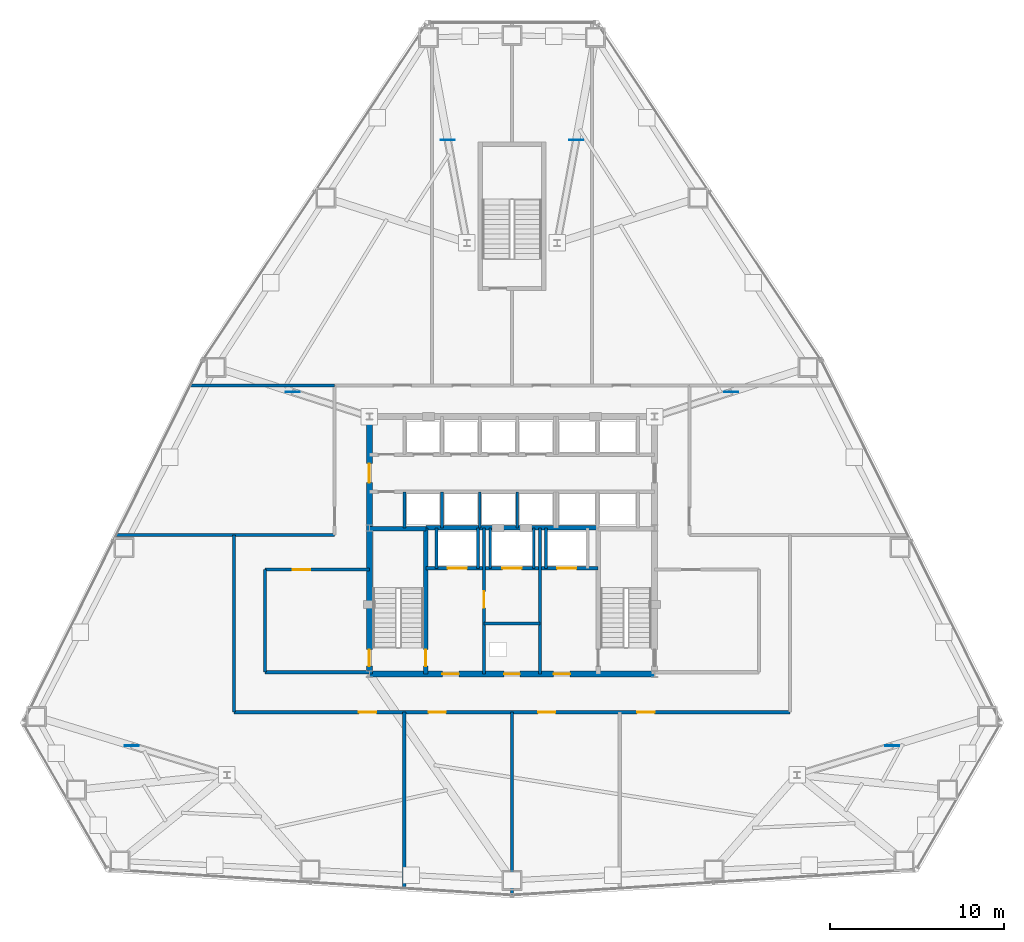
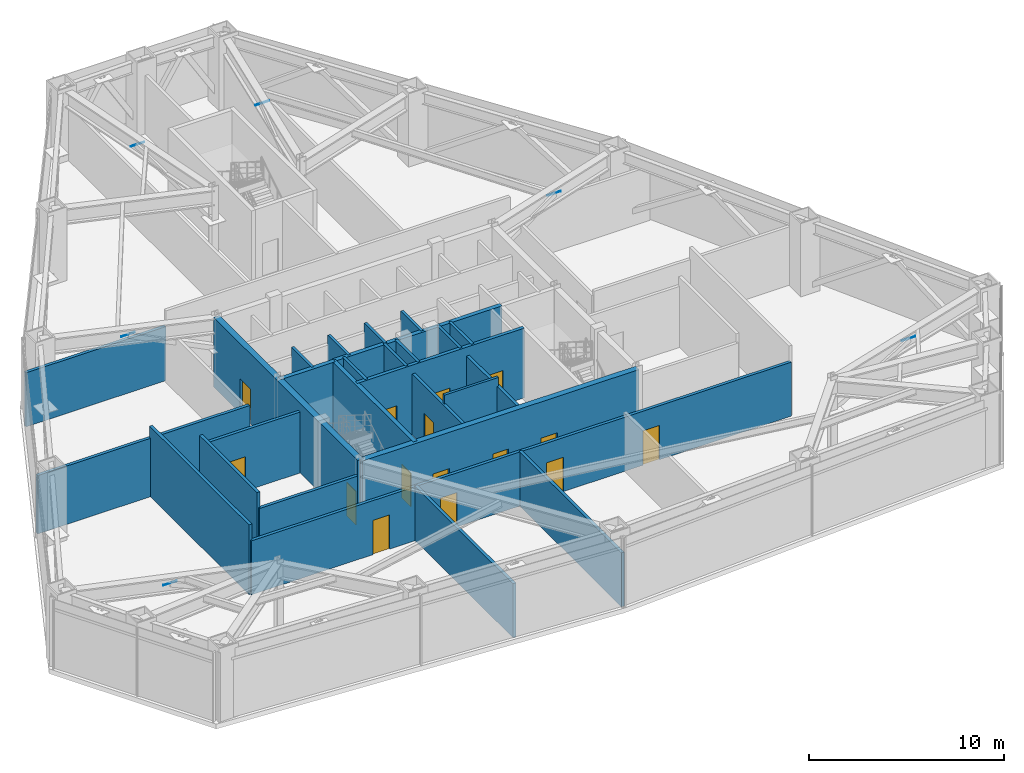
# One storey, part 9 of 12: 27 walls, 15 doors, 6 plates, 15 openings.
"""IFC4 building model written with IfcOpenShell, lengths in metres."""

from ifc_helpers import new_model, si_unit, direction, frame, frame_2d, origin, origin_2d, place, context, subcontext, project, spatial, rectangle, extrude, source, transform, mapped, material, layer, layer_set, type_object, type_shapes, element, fill, save


model = new_model("IFC4")

# Units and contexts
model_context = context("Model", 3, precision=1e-05, world=origin(), true_north=direction((0.0, 1.0)))
body_context = subcontext(model_context, "Body", "Model", "MODEL_VIEW")
ifc_project = project(units=[si_unit("LENGTHUNIT", "METRE"), si_unit("AREAUNIT", "SQUARE_METRE"), si_unit("VOLUMEUNIT", "CUBIC_METRE"), si_unit("PLANEANGLEUNIT", "RADIAN"), si_unit("MASSUNIT", "GRAM", prefix="KILO")], contexts=[model_context])

# Site, building, storey
site_placement = place(None, origin())
site = spatial("IfcSite", under=ifc_project, at=site_placement, CompositionType="ELEMENT")
building_placement = place(site_placement, origin())
building = spatial("IfcBuilding", under=site, at=building_placement, Name="Varakhsha Concourse Tower", CompositionType="ELEMENT")
storey_placement = place(building_placement, frame((0.0, 0.0, 68.800048828125)))
storey = spatial("IfcBuildingStorey", under=building, at=storey_placement, Name="L19", CompositionType="ELEMENT", Elevation=68.800048828125)

# Plates
ifc_material_1 = material(Name="Structural Steel ASTM A572 Grade 50", Category="steel")
ifc_layer_1 = layer(ifc_material_1, 0.031982421875, Name="PL-GUSSET-800")
ifc_layer_set_1 = layer_set([ifc_layer_1], Name="Structural Steel ASTM A572 Grade 50")
plate_type = type_object("IfcPlateType", Name="PL-GUSSET-800", PredefinedType="USERDEFINED", material=ifc_layer_set_1)
shared_shape = source(origin(), body_context, "Body", "SweptSolid", [
    extrude(rectangle(XDim=0.800048828125, YDim=0.031982421875, at=origin_2d()), origin(), (0.0, 0.0, 1.0), 0.031982421875),
])
type_shapes(plate_type, [shared_shape])
for number, where, z_axis, x_axis, name in (
    (1, (43.695556640625, 47.10791015625, 3.90380859375), (0.0, 0.0, 1.0), (1.0, 0.0, 0.0), "Hollow Section End Cap GP-L19-01"),
    (2, (36.304443359375, 47.10791015625, 3.90380859375), (0.0, 0.0, 1.0), (1.0, 0.0, 0.0), "Hollow Section End Cap GP-L19-02"),
    (3, (27.382568359375, 32.61767578125, 3.90380859375), (0.0, 0.0, 1.0), (1.0, 0.0, 0.0), "Hollow Section End Cap GP-L19-03"),
    (4, (18.124755859375, 12.270751953125, 3.90380859375), (0.0, 0.0, 1.0), (1.0, 0.0, 0.0), "Hollow Section End Cap GP-L19-04"),
    (5, (61.875244140625, 12.270751953125, 3.90380859375), (0.0, 0.0, 1.0), (1.0, 0.0, 0.0), "Hollow Section End Cap GP-L19-08"),
    (6, (52.617431640625, 32.61767578125, 3.90380859375), (0.0, 0.0, 1.0), (1.0, 0.0, 0.0), "Hollow Section End Cap GP-L19-09"),
):
    element("IfcPlate", number, at=place(storey_placement, frame(where, z_axis=z_axis, x_axis=x_axis)), inside=storey, type_object=plate_type, Name=name, ObjectType="GUSSET PLATE", PredefinedType="USERDEFINED", context=body_context, shape_type="MappedRepresentation", body=[
        mapped(shared_shape, transform((0.0, 0.0, 0.0), scale=1.0)),
    ])

# Wall, openings, doors
ifc_material_2 = material(Name="Concrete fc 65 MPa", Category="concrete")
ifc_layer_2 = layer(ifc_material_2, 0.35009765625, Name="WL-CORE-350")
ifc_layer_set_2 = layer_set([ifc_layer_2], Name="Concrete fc 65 MPa")
wall_type_1 = type_object("IfcWallType", Name="WL-CORE-350", PredefinedType="SHEAR", material=ifc_layer_set_2)
wall_1_placement = place(storey_placement, frame((31.800048828125, 16.39990234375, 0.0), z_axis=(0.0, 0.0, 1.0), x_axis=(1.0, 0.0, 0.0)))
wall_1 = element("IfcWall", 7, at=wall_1_placement, inside=storey, type_object=wall_type_1, Name="L19 Wall CWALL-S-L19", PredefinedType="SHEAR", context=body_context, shape_type="SweptSolid", body=[
    extrude(rectangle(XDim=16.39990234375, YDim=0.35009765625, at=frame_2d((8.199951171875, 0.0))), origin(), (0.0, 0.0, 1.0), 4.369873046875),
])
opening_1_placement = place(wall_1_placement, frame((7.75, 0.0, 0.0)))
opening_1 = element("IfcOpeningElement", 8, at=opening_1_placement, cuts=wall_1, Name="Opening DF-06", PredefinedType="OPENING", context=body_context, shape_type="SweptSolid", body=[
    extrude(rectangle(XDim=0.89990234375, YDim=2.10009765625, at=frame_2d((0.449951171875, 1.050048828125))), frame((0.0, 0.18505859375, 0.0), z_axis=(0.0, -1.0, 0.0), x_axis=(1.0, 0.0, 0.0)), (0.0, 0.0, 1.0), 0.3701171875),
])
opening_2_placement = place(wall_1_placement, frame((4.199951171875, 0.0, 0.0)))
opening_2 = element("IfcOpeningElement", 9, at=opening_2_placement, cuts=wall_1, Name="Opening DF-05", PredefinedType="OPENING", context=body_context, shape_type="SweptSolid", body=[
    extrude(rectangle(XDim=0.949951171875, YDim=2.10009765625, at=frame_2d((0.47509765625, 1.050048828125))), frame((0.0, 0.18505859375, 0.0), z_axis=(0.0, -1.0, 0.0), x_axis=(1.0, 0.0, 0.0)), (0.0, 0.0, 1.0), 0.3701171875),
])
opening_3_placement = place(wall_1_placement, frame((10.60009765625, 0.0, 0.0)))
opening_3 = element("IfcOpeningElement", 10, at=opening_3_placement, cuts=wall_1, Name="Opening DF-05", PredefinedType="OPENING", context=body_context, shape_type="SweptSolid", body=[
    extrude(rectangle(XDim=0.949951171875, YDim=2.10009765625, at=frame_2d((0.47509765625, 1.050048828125))), frame((0.0, 0.18505859375, 0.0), z_axis=(0.0, -1.0, 0.0), x_axis=(1.0, 0.0, 0.0)), (0.0, 0.0, 1.0), 0.3701171875),
])
ifc_material_3 = material(Name="Hollow Galvanised Steel Fire Door Assembly", Category="steel")
door_type_1 = type_object("IfcDoorType", Name="DR-FD60-900", OperationType="NOTDEFINED", PredefinedType="DOOR", material=ifc_material_3)
door_1_placement = place(opening_1_placement, origin())
door_1 = element("IfcDoor", 11, at=door_1_placement, inside=storey, type_object=door_type_1, Name="L19 Electrical Riser Access Door", OperationType="SINGLE_SWING_LEFT", OverallHeight=2.10009765625, OverallWidth=0.89990234375, PredefinedType="DOOR", context=body_context, shape_type="SweptSolid", body=[
    extrude(rectangle(XDim=0.89990234375, YDim=2.10009765625, at=frame_2d((0.449951171875, 1.050048828125))), frame((0.0, 0.02490234375, 0.0), z_axis=(0.0, -1.0, 0.0), x_axis=(1.0, 0.0, 0.0)), (0.0, 0.0, 1.0), 0.050048828125),
])
fill(opening_1, door_1)
door_type_2 = type_object("IfcDoorType", Name="DR-FD60-950", OperationType="NOTDEFINED", PredefinedType="DOOR", material=ifc_material_3)
door_2_placement = place(opening_2_placement, origin())
door_2 = element("IfcDoor", 12, at=door_2_placement, inside=storey, type_object=door_type_2, Name="L19 Firefighting Lobby West Door", OperationType="SINGLE_SWING_RIGHT", OverallHeight=2.10009765625, OverallWidth=0.949951171875, PredefinedType="DOOR", context=body_context, shape_type="SweptSolid", body=[
    extrude(rectangle(XDim=0.949951171875, YDim=2.10009765625, at=frame_2d((0.47509765625, 1.050048828125))), frame((0.0, 0.02490234375, 0.0), z_axis=(0.0, -1.0, 0.0), x_axis=(1.0, 0.0, 0.0)), (0.0, 0.0, 1.0), 0.050048828125),
])
fill(opening_2, door_2)
door_3_placement = place(opening_3_placement, origin())
door_3 = element("IfcDoor", 13, at=door_3_placement, inside=storey, type_object=door_type_2, Name="L19 Firefighting Lobby East Door", OperationType="SINGLE_SWING_LEFT", OverallHeight=2.10009765625, OverallWidth=0.949951171875, PredefinedType="DOOR", context=body_context, shape_type="SweptSolid", body=[
    extrude(rectangle(XDim=0.949951171875, YDim=2.10009765625, at=frame_2d((0.47509765625, 1.050048828125))), frame((0.0, 0.02490234375, 0.0), z_axis=(0.0, -1.0, 0.0), x_axis=(1.0, 0.0, 0.0)), (0.0, 0.0, 1.0), 0.050048828125),
])
fill(opening_3, door_3)

wall_2_placement = place(storey_placement, frame((31.800048828125, 16.39990234375, 0.0), z_axis=(0.0, 0.0, 1.0), x_axis=(0.0, 1.0, 0.0)))
wall_2 = element("IfcWall", 14, at=wall_2_placement, inside=storey, type_object=wall_type_1, Name="L19 Wall CWALL-W-L19", PredefinedType="SHEAR", context=body_context, shape_type="SweptSolid", body=[
    extrude(rectangle(XDim=14.800048828125, YDim=0.35009765625, at=frame_2d((7.39990234375, 0.0))), origin(), (0.0, 0.0, 1.0), 4.369873046875),
])
opening_4_placement = place(wall_2_placement, frame((11.0, 0.0, 0.0)))
opening_4 = element("IfcOpeningElement", 15, at=opening_4_placement, cuts=wall_2, Name="Opening DL-01", PredefinedType="OPENING", context=body_context, shape_type="SweptSolid", body=[
    extrude(rectangle(XDim=1.10009765625, YDim=2.14990234375, at=frame_2d((0.550048828125, 1.074951171875))), frame((0.0, 0.18505859375, 0.0), z_axis=(0.0, -1.0, 0.0), x_axis=(1.0, 0.0, 0.0)), (0.0, 0.0, 1.0), 0.3701171875),
])
opening_5_placement = place(wall_2_placement, frame((0.449951171875, 0.0, 0.0)))
opening_5 = element("IfcOpeningElement", 16, at=opening_5_placement, cuts=wall_2, Name="Opening DF-03", PredefinedType="OPENING", context=body_context, shape_type="SweptSolid", body=[
    extrude(rectangle(XDim=0.949951171875, YDim=2.10009765625, at=frame_2d((0.47509765625, 1.050048828125))), frame((0.0, 0.18505859375, 0.0), z_axis=(0.0, -1.0, 0.0), x_axis=(1.0, 0.0, 0.0)), (0.0, 0.0, 1.0), 0.3701171875),
])
door_type_3 = type_object("IfcDoorType", Name="DR-FD90-950", OperationType="NOTDEFINED", PredefinedType="DOOR", material=ifc_material_3)
door_4_placement = place(opening_5_placement, origin())
door_4 = element("IfcDoor", 17, at=door_4_placement, inside=storey, type_object=door_type_3, Name="L19 Area of Refuge West Stair ST1 Door", OperationType="SINGLE_SWING_LEFT", OverallHeight=2.10009765625, OverallWidth=0.949951171875, PredefinedType="DOOR", context=body_context, shape_type="SweptSolid", body=[
    extrude(rectangle(XDim=0.949951171875, YDim=2.10009765625, at=frame_2d((0.47509765625, 1.050048828125))), frame((0.0, 0.02490234375, 0.0), z_axis=(0.0, -1.0, 0.0), x_axis=(1.0, 0.0, 0.0)), (0.0, 0.0, 1.0), 0.050048828125),
])
fill(opening_5, door_4)
ifc_material_4 = material(Name="Anodised Bronze Architectural Aluminium AA 6063-T6", Category="aluminium")
door_type_4 = type_object("IfcDoorType", Name="DR-LOB-1100", OperationType="NOTDEFINED", PredefinedType="DOOR", material=ifc_material_4)
door_5_placement = place(opening_4_placement, origin())
door_5 = element("IfcDoor", 18, at=door_5_placement, inside=storey, type_object=door_type_4, Name="L19 Lift Lobby West Concourse Door", OperationType="SINGLE_SWING_LEFT", OverallHeight=2.14990234375, OverallWidth=1.10009765625, PredefinedType="DOOR", context=body_context, shape_type="SweptSolid", body=[
    extrude(rectangle(XDim=1.10009765625, YDim=2.14990234375, at=frame_2d((0.550048828125, 1.074951171875))), frame((0.0, 0.02490234375, 0.0), z_axis=(0.0, -1.0, 0.0), x_axis=(1.0, 0.0, 0.0)), (0.0, 0.0, 1.0), 0.050048828125),
])
fill(opening_4, door_5)

# Wall, opening, door
ifc_material_5 = material(Name="Fire-Rated Type X Gypsum Partition Assembly", Category="gypsum")
ifc_layer_3 = layer(ifc_material_5, 0.179931640625, Name="WL-FFLOB-180")
ifc_layer_set_3 = layer_set([ifc_layer_3], Name="Fire-Rated Type X Gypsum Partition Assembly")
wall_type_2 = type_object("IfcWallType", Name="WL-FFLOB-180", PredefinedType="PARTITIONING", material=ifc_layer_set_3)
wall_3_placement = place(storey_placement, frame((38.389892578125, 16.39990234375, 0.0), z_axis=(0.0, 0.0, 1.0), x_axis=(0.0, 1.0, 0.0)))
wall_3 = element("IfcWall", 19, at=wall_3_placement, inside=storey, type_object=wall_type_2, Name="L19 Wall FFW-1E-L19", PredefinedType="PARTITIONING", context=body_context, shape_type="SweptSolid", body=[
    extrude(rectangle(XDim=8.400146484375, YDim=0.179931640625, at=frame_2d((4.2001953125, 0.0))), origin(), (0.0, 0.0, 1.0), 3.821044921875),
])
opening_6_placement = place(wall_3_placement, frame((3.800048828125, 0.0, 0.0)))
opening_6 = element("IfcOpeningElement", 20, at=opening_6_placement, cuts=wall_3, Name="Opening DF-05", PredefinedType="OPENING", context=body_context, shape_type="SweptSolid", body=[
    extrude(rectangle(XDim=0.949951171875, YDim=2.10009765625, at=frame_2d((0.47509765625, 1.050048828125))), frame((0.0, 0.099853515625, 0.0), z_axis=(0.0, -1.0, 0.0), x_axis=(1.0, 0.0, 0.0)), (0.0, 0.0, 1.0), 0.199951171875),
])
door_6_placement = place(opening_6_placement, origin())
door_6 = element("IfcDoor", 21, at=door_6_placement, inside=storey, type_object=door_type_2, Name="L19 Service Vestibule Door", OperationType="SINGLE_SWING_RIGHT", OverallHeight=2.10009765625, OverallWidth=0.949951171875, PredefinedType="DOOR", context=body_context, shape_type="SweptSolid", body=[
    extrude(rectangle(XDim=0.949951171875, YDim=2.10009765625, at=frame_2d((0.47509765625, 1.050048828125))), frame((0.0, 0.02490234375, 0.0), z_axis=(0.0, -1.0, 0.0), x_axis=(1.0, 0.0, 0.0)), (0.0, 0.0, 1.0), 0.050048828125),
])
fill(opening_6, door_6)

# Walls
wall_4_placement = place(storey_placement, frame((41.610107421875, 16.39990234375, 0.0), z_axis=(0.0, 0.0, 1.0), x_axis=(0.0, 1.0, 0.0)))
element("IfcWall", 22, at=wall_4_placement, inside=storey, type_object=wall_type_2, Name="L19 Wall FFW-2W-L19", PredefinedType="PARTITIONING", context=body_context, shape_type="SweptSolid", body=[
    extrude(rectangle(XDim=8.400146484375, YDim=0.179931640625, at=frame_2d((4.2001953125, 0.0))), origin(), (0.0, 0.0, 1.0), 3.821044921875),
])
ifc_layer_4 = layer(ifc_material_5, 0.14990234375, Name="WL-PART-150")
ifc_layer_set_4 = layer_set([ifc_layer_4], Name="Fire-Rated Type X Gypsum Partition Assembly")
wall_type_3 = type_object("IfcWallType", Name="WL-PART-150", PredefinedType="PARTITIONING", material=ifc_layer_set_4)
wall_5_placement = place(storey_placement, frame((38.389892578125, 19.300048828125, 0.0), z_axis=(0.0, 0.0, 1.0), x_axis=(1.0, 0.0, 0.0)))
element("IfcWall", 23, at=wall_5_placement, inside=storey, type_object=wall_type_3, Name="L19 Wall RSW-H-L19", PredefinedType="PARTITIONING", context=body_context, shape_type="SweptSolid", body=[
    extrude(rectangle(XDim=3.22021484375, YDim=0.14990234375, at=frame_2d((1.610107421875, 0.0))), origin(), (0.0, 0.0, 1.0), 4.369873046875),
])

# Wall, openings, doors
ifc_layer_5 = layer(ifc_material_5, 0.179931640625, Name="WL-PART-180")
ifc_layer_set_5 = layer_set([ifc_layer_5], Name="Fire-Rated Type X Gypsum Partition Assembly")
wall_type_4 = type_object("IfcWallType", Name="WL-PART-180", PredefinedType="PARTITIONING", material=ifc_layer_set_5)
wall_6_placement = place(storey_placement, frame((24.0, 14.199951171875, 0.0), z_axis=(0.0, 0.0, 1.0), x_axis=(1.0, 0.0, 0.0)))
wall_6 = element("IfcWall", 24, at=wall_6_placement, inside=storey, type_object=wall_type_4, Name="L19 Wall PCW-S-L19", PredefinedType="PARTITIONING", context=body_context, shape_type="SweptSolid", body=[
    extrude(rectangle(XDim=32.0, YDim=0.179931640625, at=frame_2d((16.0, 0.0))), origin(), (0.0, 0.0, 1.0), 3.385009765625),
])
opening_7_placement = place(wall_6_placement, frame((7.199951171875, 0.0, 0.0)))
opening_7 = element("IfcOpeningElement", 25, at=opening_7_placement, cuts=wall_6, Name="Opening DF-04", PredefinedType="OPENING", context=body_context, shape_type="SweptSolid", body=[
    extrude(rectangle(XDim=1.0, YDim=2.14990234375, at=frame_2d((0.5, 1.074951171875))), frame((0.0, 0.099853515625, 0.0), z_axis=(0.0, -1.0, 0.0), x_axis=(1.0, 0.0, 0.0)), (0.0, 0.0, 1.0), 0.199951171875),
])
opening_8_placement = place(wall_6_placement, frame((11.199951171875, 0.0, 0.0)))
opening_8 = element("IfcOpeningElement", 26, at=opening_8_placement, cuts=wall_6, Name="Opening DF-04", PredefinedType="OPENING", context=body_context, shape_type="SweptSolid", body=[
    extrude(rectangle(XDim=1.0, YDim=2.14990234375, at=frame_2d((0.5, 1.074951171875))), frame((0.0, 0.099853515625, 0.0), z_axis=(0.0, -1.0, 0.0), x_axis=(1.0, 0.0, 0.0)), (0.0, 0.0, 1.0), 0.199951171875),
])
opening_9_placement = place(wall_6_placement, frame((17.5, 0.0, 0.0)))
opening_9 = element("IfcOpeningElement", 27, at=opening_9_placement, cuts=wall_6, Name="Opening DF-04", PredefinedType="OPENING", context=body_context, shape_type="SweptSolid", body=[
    extrude(rectangle(XDim=1.0, YDim=2.14990234375, at=frame_2d((0.5, 1.074951171875))), frame((0.0, 0.099853515625, 0.0), z_axis=(0.0, -1.0, 0.0), x_axis=(1.0, 0.0, 0.0)), (0.0, 0.0, 1.0), 0.199951171875),
])
opening_10_placement = place(wall_6_placement, frame((23.199951171875, 0.0, 0.0)))
opening_10 = element("IfcOpeningElement", 28, at=opening_10_placement, cuts=wall_6, Name="Opening DF-04", PredefinedType="OPENING", context=body_context, shape_type="SweptSolid", body=[
    extrude(rectangle(XDim=1.0, YDim=2.14990234375, at=frame_2d((0.5, 1.074951171875))), frame((0.0, 0.099853515625, 0.0), z_axis=(0.0, -1.0, 0.0), x_axis=(1.0, 0.0, 0.0)), (0.0, 0.0, 1.0), 0.199951171875),
])
door_type_5 = type_object("IfcDoorType", Name="DR-FD60-1000", OperationType="NOTDEFINED", PredefinedType="DOOR", material=ifc_material_3)
door_7_placement = place(opening_7_placement, origin())
door_7 = element("IfcDoor", 29, at=door_7_placement, inside=storey, type_object=door_type_5, Name="L19 West Chiller and Heat Rejection Plant Room Door", OperationType="SINGLE_SWING_LEFT", OverallHeight=2.14990234375, OverallWidth=1.0, PredefinedType="DOOR", context=body_context, shape_type="SweptSolid", body=[
    extrude(rectangle(XDim=1.0, YDim=2.14990234375, at=frame_2d((0.5, 1.074951171875))), frame((0.0, 0.02490234375, 0.0), z_axis=(0.0, -1.0, 0.0), x_axis=(1.0, 0.0, 0.0)), (0.0, 0.0, 1.0), 0.050048828125),
])
fill(opening_7, door_7)
door_8_placement = place(opening_8_placement, origin())
door_8 = element("IfcDoor", 30, at=door_8_placement, inside=storey, type_object=door_type_5, Name="L19 Central Condenser Pump Plant Room Door", OperationType="SINGLE_SWING_LEFT", OverallHeight=2.14990234375, OverallWidth=1.0, PredefinedType="DOOR", context=body_context, shape_type="SweptSolid", body=[
    extrude(rectangle(XDim=1.0, YDim=2.14990234375, at=frame_2d((0.5, 1.074951171875))), frame((0.0, 0.02490234375, 0.0), z_axis=(0.0, -1.0, 0.0), x_axis=(1.0, 0.0, 0.0)), (0.0, 0.0, 1.0), 0.050048828125),
])
fill(opening_8, door_8)
door_9_placement = place(opening_9_placement, origin())
door_9 = element("IfcDoor", 31, at=door_9_placement, inside=storey, type_object=door_type_5, Name="L19 Heat Recovery Tank Mechanical Plant Room Door", OperationType="SINGLE_SWING_LEFT", OverallHeight=2.14990234375, OverallWidth=1.0, PredefinedType="DOOR", context=body_context, shape_type="SweptSolid", body=[
    extrude(rectangle(XDim=1.0, YDim=2.14990234375, at=frame_2d((0.5, 1.074951171875))), frame((0.0, 0.02490234375, 0.0), z_axis=(0.0, -1.0, 0.0), x_axis=(1.0, 0.0, 0.0)), (0.0, 0.0, 1.0), 0.050048828125),
])
fill(opening_9, door_9)
door_10_placement = place(opening_10_placement, origin())
door_10 = element("IfcDoor", 32, at=door_10_placement, inside=storey, type_object=door_type_5, Name="L19 East Heat Exchanger Mechanical Plant Room Door", OperationType="SINGLE_SWING_LEFT", OverallHeight=2.14990234375, OverallWidth=1.0, PredefinedType="DOOR", context=body_context, shape_type="SweptSolid", body=[
    extrude(rectangle(XDim=1.0, YDim=2.14990234375, at=frame_2d((0.5, 1.074951171875))), frame((0.0, 0.02490234375, 0.0), z_axis=(0.0, -1.0, 0.0), x_axis=(1.0, 0.0, 0.0)), (0.0, 0.0, 1.0), 0.050048828125),
])
fill(opening_10, door_10)

# Walls
wall_7_placement = place(storey_placement, frame((24.0, 14.199951171875, 0.0), z_axis=(0.0, 0.0, 1.0), x_axis=(0.0, 1.0, 0.0)))
element("IfcWall", 33, at=wall_7_placement, inside=storey, type_object=wall_type_4, Name="L19 Wall PCW-WS-L19", PredefinedType="PARTITIONING", context=body_context, shape_type="SweptSolid", body=[
    extrude(rectangle(XDim=10.199951171875, YDim=0.179931640625, at=frame_2d((5.10009765625, 0.0))), origin(), (0.0, 0.0, 1.0), 4.369873046875),
])
wall_8_placement = place(storey_placement, frame((25.800048828125, 16.5, 0.0), z_axis=(0.0, 0.0, 1.0), x_axis=(1.0, 0.0, 0.0)))
element("IfcWall", 34, at=wall_8_placement, inside=storey, type_object=wall_type_4, Name="L19 Wall REFW-WS-L19", PredefinedType="PARTITIONING", context=body_context, shape_type="SweptSolid", body=[
    extrude(rectangle(XDim=6.0, YDim=0.179931640625, at=frame_2d((3.0, 0.0))), origin(), (0.0, 0.0, 1.0), 3.385009765625),
])

# Wall, opening, door
wall_9_placement = place(storey_placement, frame((25.800048828125, 22.39990234375, 0.0), z_axis=(0.0, 0.0, 1.0), x_axis=(1.0, 0.0, 0.0)))
wall_9 = element("IfcWall", 35, at=wall_9_placement, inside=storey, type_object=wall_type_4, Name="L19 Wall REFW-WN-L19", PredefinedType="PARTITIONING", context=body_context, shape_type="SweptSolid", body=[
    extrude(rectangle(XDim=6.0, YDim=0.179931640625, at=frame_2d((3.0, 0.0))), origin(), (0.0, 0.0, 1.0), 3.821044921875),
])
opening_11_placement = place(wall_9_placement, frame((1.60009765625, 0.0, 0.0)))
opening_11 = element("IfcOpeningElement", 36, at=opening_11_placement, cuts=wall_9, Name="Opening DF-04", PredefinedType="OPENING", context=body_context, shape_type="SweptSolid", body=[
    extrude(rectangle(XDim=1.0, YDim=2.14990234375, at=frame_2d((0.5, 1.074951171875))), frame((0.0, 0.099853515625, 0.0), z_axis=(0.0, -1.0, 0.0), x_axis=(1.0, 0.0, 0.0)), (0.0, 0.0, 1.0), 0.199951171875),
])
door_11_placement = place(opening_11_placement, origin())
door_11 = element("IfcDoor", 37, at=door_11_placement, inside=storey, type_object=door_type_5, Name="L19 Area of Refuge West Lobby Door", OperationType="SINGLE_SWING_LEFT", OverallHeight=2.14990234375, OverallWidth=1.0, PredefinedType="DOOR", context=body_context, shape_type="SweptSolid", body=[
    extrude(rectangle(XDim=1.0, YDim=2.14990234375, at=frame_2d((0.5, 1.074951171875))), frame((0.0, 0.02490234375, 0.0), z_axis=(0.0, -1.0, 0.0), x_axis=(1.0, 0.0, 0.0)), (0.0, 0.0, 1.0), 0.050048828125),
])
fill(opening_11, door_11)

# Walls
wall_10_placement = place(storey_placement, frame((25.800048828125, 16.5, 0.0), z_axis=(0.0, 0.0, 1.0), x_axis=(0.0, 1.0, 0.0)))
element("IfcWall", 38, at=wall_10_placement, inside=storey, type_object=wall_type_4, Name="L19 Wall REFW-WW-L19", PredefinedType="PARTITIONING", context=body_context, shape_type="SweptSolid", body=[
    extrude(rectangle(XDim=5.89990234375, YDim=0.179931640625, at=frame_2d((2.949951171875, 0.0))), origin(), (0.0, 0.0, 1.0), 4.369873046875),
])
wall_11_placement = place(storey_placement, frame((17.24609375, 24.39990234375, 0.0), z_axis=(0.0, 0.0, 1.0), x_axis=(1.0, 0.0, 0.0)))
element("IfcWall", 39, at=wall_11_placement, inside=storey, type_object=wall_type_4, Name="L19 Wall PDIV-WS-L19", PredefinedType="PARTITIONING", context=body_context, shape_type="SweptSolid", body=[
    extrude(rectangle(XDim=12.553955078125, YDim=0.179931640625, at=frame_2d((6.27685546875, 0.0))), origin(), (0.0, 0.0, 1.0), 3.657958984375),
])
wall_12_placement = place(storey_placement, frame((21.509033203125, 33.0, 0.0), z_axis=(0.0, 0.0, 1.0), x_axis=(1.0, 0.0, 0.0)))
element("IfcWall", 40, at=wall_12_placement, inside=storey, type_object=wall_type_4, Name="L19 Wall PDIV-WN-L19", PredefinedType="PARTITIONING", context=body_context, shape_type="SweptSolid", body=[
    extrude(rectangle(XDim=8.291015625, YDim=0.179931640625, at=frame_2d((4.1455078125, 0.0))), origin(), (0.0, 0.0, 1.0), 3.385009765625),
])
wall_13_placement = place(storey_placement, frame((33.800048828125, 4.076904296875, 0.0), z_axis=(0.0, 0.0, 1.0), x_axis=(0.0, 1.0, 0.0)))
element("IfcWall", 41, at=wall_13_placement, inside=storey, type_object=wall_type_4, Name="L19 Wall PDIV-S1-L19", PredefinedType="PARTITIONING", context=body_context, shape_type="SweptSolid", body=[
    extrude(rectangle(XDim=10.123046875, YDim=0.179931640625, at=frame_2d((5.0615234375, 0.0))), origin(), (0.0, 0.0, 1.0), 3.385009765625),
])
wall_14_placement = place(storey_placement, frame((40.0, 3.68310546875, 0.0), z_axis=(0.0, 0.0, 1.0), x_axis=(0.0, 1.0, 0.0)))
element("IfcWall", 42, at=wall_14_placement, inside=storey, type_object=wall_type_4, Name="L19 Wall PDIV-S2-L19", PredefinedType="PARTITIONING", context=body_context, shape_type="SweptSolid", body=[
    extrude(rectangle(XDim=10.516845703125, YDim=0.179931640625, at=frame_2d((5.25830078125, 0.0))), origin(), (0.0, 0.0, 1.0), 3.385009765625),
])

# Wall, openings, doors
ifc_layer_6 = layer(ifc_material_5, 0.199951171875, Name="WL-SHAFT-220")
ifc_layer_set_6 = layer_set([ifc_layer_6], Name="Fire-Rated Type X Gypsum Partition Assembly")
wall_type_5 = type_object("IfcWallType", Name="WL-SHAFT-220", PredefinedType="SOLIDWALL", material=ifc_layer_set_6)
wall_15_placement = place(storey_placement, frame((35.044921875, 22.47998046875, 0.0), z_axis=(0.0, 0.0, 1.0), x_axis=(1.0, 0.0, 0.0)))
wall_15 = element("IfcWall", 43, at=wall_15_placement, inside=storey, type_object=wall_type_5, Name="L19 Wall FFW-NH-L19", PredefinedType="SOLIDWALL", context=body_context, shape_type="SweptSolid", body=[
    extrude(rectangle(XDim=9.91015625, YDim=0.199951171875, at=frame_2d((4.955078125, 0.0))), origin(), (0.0, 0.0, 1.0), 4.369873046875),
])
opening_12_placement = place(wall_15_placement, frame((1.2548828125, 0.0, 0.0)))
opening_12 = element("IfcOpeningElement", 44, at=opening_12_placement, cuts=wall_15, Name="Opening LD-FFL-1", PredefinedType="OPENING", context=body_context, shape_type="SweptSolid", body=[
    extrude(rectangle(XDim=1.10009765625, YDim=2.14990234375, at=frame_2d((0.550048828125, 1.074951171875))), frame((0.0, 0.10986328125, 0.0), z_axis=(0.0, -1.0, 0.0), x_axis=(1.0, 0.0, 0.0)), (0.0, 0.0, 1.0), 0.219970703125),
])
opening_13_placement = place(wall_15_placement, frame((7.554931640625, 0.0, 0.0)))
opening_13 = element("IfcOpeningElement", 45, at=opening_13_placement, cuts=wall_15, Name="Opening LD-FFL-2", PredefinedType="OPENING", context=body_context, shape_type="SweptSolid", body=[
    extrude(rectangle(XDim=1.10009765625, YDim=2.14990234375, at=frame_2d((0.550048828125, 1.074951171875))), frame((0.0, 0.10986328125, 0.0), z_axis=(0.0, -1.0, 0.0), x_axis=(1.0, 0.0, 0.0)), (0.0, 0.0, 1.0), 0.219970703125),
])
opening_14_placement = place(wall_15_placement, frame((4.405029296875, 0.0, 0.0)))
opening_14 = element("IfcOpeningElement", 46, at=opening_14_placement, cuts=wall_15, Name="Opening LD-SVL-1", PredefinedType="OPENING", context=body_context, shape_type="SweptSolid", body=[
    extrude(rectangle(XDim=1.10009765625, YDim=2.14990234375, at=frame_2d((0.550048828125, 1.074951171875))), frame((0.0, 0.10986328125, 0.0), z_axis=(0.0, -1.0, 0.0), x_axis=(1.0, 0.0, 0.0)), (0.0, 0.0, 1.0), 0.219970703125),
])
ifc_material_6 = material(Name="Brushed Austenitic Stainless Steel AISI 316", Category="steel")
door_type_6 = type_object("IfcDoorType", Name="DR-LD-1100", OperationType="DOUBLE_DOOR_SLIDING", PredefinedType="DOOR", material=ifc_material_6)
door_12_placement = place(opening_12_placement, origin())
door_12 = element("IfcDoor", 47, at=door_12_placement, inside=storey, type_object=door_type_6, Name="Lift Landing Door FFL-1 L19", OperationType="DOUBLE_DOOR_SLIDING", OverallHeight=2.14990234375, OverallWidth=1.10009765625, PredefinedType="DOOR", context=body_context, shape_type="SweptSolid", body=[
    extrude(rectangle(XDim=1.10009765625, YDim=2.14990234375, at=frame_2d((0.550048828125, 1.074951171875))), frame((0.0, 0.02490234375, 0.0), z_axis=(0.0, -1.0, 0.0), x_axis=(1.0, 0.0, 0.0)), (0.0, 0.0, 1.0), 0.050048828125),
])
fill(opening_12, door_12)
door_13_placement = place(opening_13_placement, origin())
door_13 = element("IfcDoor", 48, at=door_13_placement, inside=storey, type_object=door_type_6, Name="Lift Landing Door FFL-2 L19", OperationType="DOUBLE_DOOR_SLIDING", OverallHeight=2.14990234375, OverallWidth=1.10009765625, PredefinedType="DOOR", context=body_context, shape_type="SweptSolid", body=[
    extrude(rectangle(XDim=1.10009765625, YDim=2.14990234375, at=frame_2d((0.550048828125, 1.074951171875))), frame((0.0, 0.02490234375, 0.0), z_axis=(0.0, -1.0, 0.0), x_axis=(1.0, 0.0, 0.0)), (0.0, 0.0, 1.0), 0.050048828125),
])
fill(opening_13, door_13)
door_14_placement = place(opening_14_placement, origin())
door_14 = element("IfcDoor", 49, at=door_14_placement, inside=storey, type_object=door_type_6, Name="Lift Landing Door SVL-1 L19", OperationType="DOUBLE_DOOR_SLIDING", OverallHeight=2.14990234375, OverallWidth=1.10009765625, PredefinedType="DOOR", context=body_context, shape_type="SweptSolid", body=[
    extrude(rectangle(XDim=1.10009765625, YDim=2.14990234375, at=frame_2d((0.550048828125, 1.074951171875))), frame((0.0, 0.02490234375, 0.0), z_axis=(0.0, -1.0, 0.0), x_axis=(1.0, 0.0, 0.0)), (0.0, 0.0, 1.0), 0.050048828125),
])
fill(opening_14, door_14)

# Walls
for number, where, z_axis, x_axis, name in (
    (50, (35.64990234375, 22.47998046875, 0.0), (0.0, 0.0, 1.0), (0.0, 1.0, 0.0), "L19 Wall SHW-FFL-1-W-L19"),
    (51, (38.050048828125, 22.47998046875, 0.0), (0.0, 0.0, 1.0), (0.0, 1.0, 0.0), "L19 Wall SHW-FFL-1-E-L19"),
    (52, (41.949951171875, 22.47998046875, 0.0), (0.0, 0.0, 1.0), (0.0, 1.0, 0.0), "L19 Wall SHW-FFL-2-W-L19"),
    (53, (38.75, 22.47998046875, 0.0), (0.0, 0.0, 1.0), (0.0, 1.0, 0.0), "L19 Wall SHW-SVL-1-W-L19"),
    (54, (41.25, 22.47998046875, 0.0), (0.0, 0.0, 1.0), (0.0, 1.0, 0.0), "L19 Wall SHW-SVL-1-E-L19"),
):
    element("IfcWall", number, at=place(storey_placement, frame(where, z_axis=z_axis, x_axis=x_axis)), inside=storey, type_object=wall_type_5, Name=name, PredefinedType="SOLIDWALL", context=body_context, shape_type="SweptSolid", body=[
        extrude(rectangle(XDim=2.320068359375, YDim=0.159912109375, at=frame_2d((1.16015625, 0.0))), origin(), (0.0, 0.0, 1.0), 4.369873046875),
    ])
for number, where, z_axis, x_axis, name in (
    (55, (33.820068359375, 24.800048828125, 0.0), (0.0, 0.0, 1.0), (0.0, 1.0, 0.0), "L19 Wall WBOH-E2-L19"),
    (56, (35.97998046875, 24.800048828125, 0.0), (0.0, 0.0, 1.0), (0.0, 1.0, 0.0), "L19 Wall SHW-LF-P05-E-L19"),
    (57, (38.139892578125, 24.800048828125, 0.0), (0.0, 0.0, 1.0), (0.0, 1.0, 0.0), "L19 Wall SHW-LF-P06-E-L19"),
    (58, (40.300048828125, 24.800048828125, 0.0), (0.0, 0.0, 1.0), (0.0, 1.0, 0.0), "L19 Wall SHW-LF-P07-E-L19"),
):
    element("IfcWall", number, at=place(storey_placement, frame(where, z_axis=z_axis, x_axis=x_axis)), inside=storey, type_object=wall_type_5, Name=name, PredefinedType="SOLIDWALL", context=body_context, shape_type="SweptSolid", body=[
        extrude(rectangle(XDim=2.079833984375, YDim=0.159912109375, at=frame_2d((1.0400390625, 0.0))), origin(), (0.0, 0.0, 1.0), 4.369873046875),
    ])

# Wall, opening, door
ifc_material_7 = material(Name="Concrete fc 45 MPa", Category="concrete")
ifc_layer_7 = layer(ifc_material_7, 0.25, Name="WL-STAIR-250")
ifc_layer_set_7 = layer_set([ifc_layer_7], Name="Concrete fc 45 MPa")
wall_type_6 = type_object("IfcWallType", Name="WL-STAIR-250", PredefinedType="SHEAR", material=ifc_layer_set_7)
wall_16_placement = place(storey_placement, frame((35.044921875, 16.39990234375, 0.0), z_axis=(0.0, 0.0, 1.0), x_axis=(0.0, 1.0, 0.0)))
wall_16 = element("IfcWall", 59, at=wall_16_placement, inside=storey, type_object=wall_type_6, Name="L19 Wall SWALL-ST1-E-L19", PredefinedType="SHEAR", context=body_context, shape_type="SweptSolid", body=[
    extrude(rectangle(XDim=8.400146484375, YDim=0.25, at=frame_2d((4.2001953125, 0.0))), origin(), (0.0, 0.0, 1.0), 4.369873046875),
])
opening_15_placement = place(wall_16_placement, frame((0.449951171875, 0.0, 0.0)))
opening_15 = element("IfcOpeningElement", 60, at=opening_15_placement, cuts=wall_16, Name="Opening DF-03", PredefinedType="OPENING", context=body_context, shape_type="SweptSolid", body=[
    extrude(rectangle(XDim=0.949951171875, YDim=2.10009765625, at=frame_2d((0.47509765625, 1.050048828125))), frame((0.0, 0.135009765625, 0.0), z_axis=(0.0, -1.0, 0.0), x_axis=(1.0, 0.0, 0.0)), (0.0, 0.0, 1.0), 0.27001953125),
])
door_15_placement = place(opening_15_placement, origin())
door_15 = element("IfcDoor", 61, at=door_15_placement, inside=storey, type_object=door_type_3, Name="L19 Stair ST1 Fire Door", OperationType="SINGLE_SWING_LEFT", OverallHeight=2.10009765625, OverallWidth=0.949951171875, PredefinedType="DOOR", context=body_context, shape_type="SweptSolid", body=[
    extrude(rectangle(XDim=0.949951171875, YDim=2.10009765625, at=frame_2d((0.47509765625, 1.050048828125))), frame((0.0, 0.02490234375, 0.0), z_axis=(0.0, -1.0, 0.0), x_axis=(1.0, 0.0, 0.0)), (0.0, 0.0, 1.0), 0.050048828125),
])
fill(opening_15, door_15)

# Walls
wall_17_placement = place(storey_placement, frame((31.800048828125, 24.7548828125, 0.0), z_axis=(0.0, 0.0, 1.0), x_axis=(1.0, 0.0, 0.0)))
element("IfcWall", 62, at=wall_17_placement, inside=storey, type_object=wall_type_6, Name="L19 Wall SWALL-ST1-N-L19", PredefinedType="SHEAR", context=body_context, shape_type="SweptSolid", body=[
    extrude(rectangle(XDim=3.244873046875, YDim=0.25, at=frame_2d((1.62255859375, 0.0))), origin(), (0.0, 0.0, 1.0), 4.369873046875),
])
wall_18_placement = place(storey_placement, frame((35.044921875, 24.800048828125, 0.0), z_axis=(0.0, 0.0, 1.0), x_axis=(1.0, 0.0, 0.0)))
element("IfcWall", 63, at=wall_18_placement, inside=storey, type_object=wall_type_6, Name="L19 Wall SWALL-MID-H-L19", PredefinedType="SHEAR", context=body_context, shape_type="SweptSolid", body=[
    extrude(rectangle(XDim=9.91015625, YDim=0.25, at=frame_2d((4.955078125, 0.0))), origin(), (0.0, 0.0, 1.0), 4.369873046875),
])

save(model, "model.ifc")
